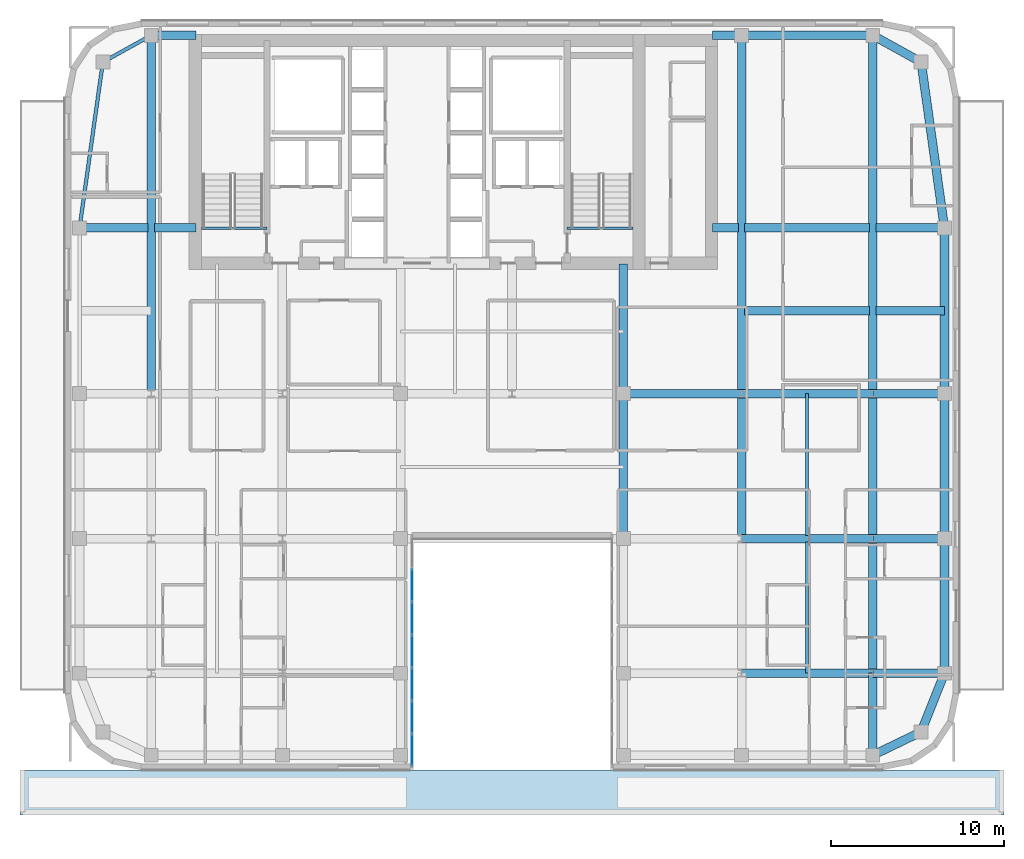
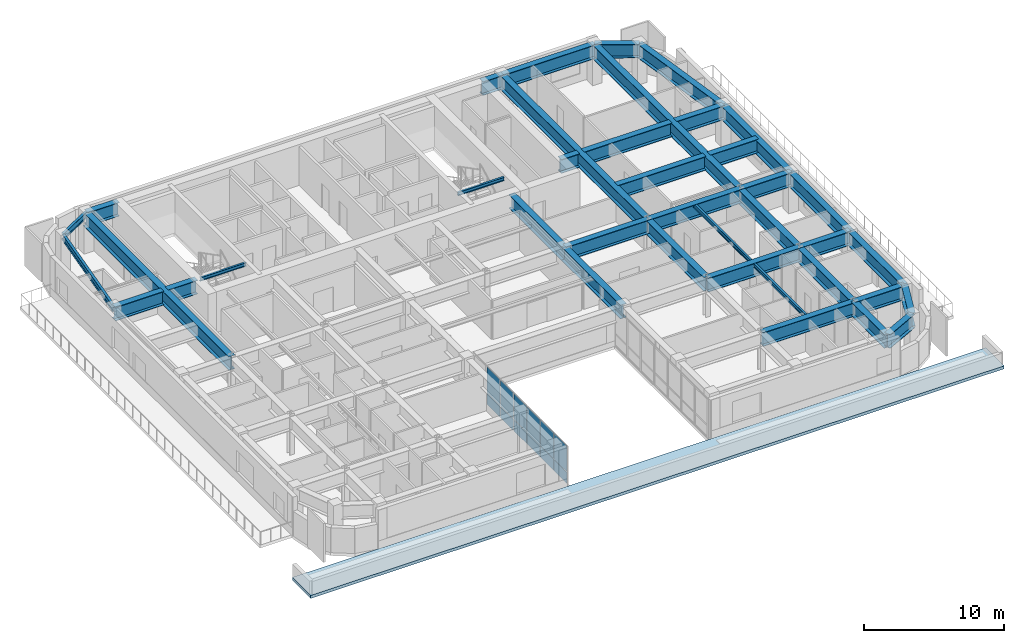
# One storey, part 8 of 20: 39 beams, 12 plates, 1 slab, 1 element without a shape of its own.
"""IFC4 building model written with IfcOpenShell, lengths in metres."""

from ifc_helpers import new_model, si_unit, direction, frame, origin, origin_2d, place, context, subcontext, project, spatial, polyline, rectangle, i_section, outline, extrude, source, transform, mapped, material, layer, layer_set, material_profile, profile_set, type_object, type_shapes, element, aggregate, save


model = new_model("IFC4")

# Units and contexts
model_context = context("Model", 3, precision=1e-05, world=origin(), true_north=direction((0.0, 1.0)))
body_context = subcontext(model_context, "Body", "Model", "MODEL_VIEW")
ifc_project = project(units=[si_unit("LENGTHUNIT", "METRE"), si_unit("AREAUNIT", "SQUARE_METRE"), si_unit("VOLUMEUNIT", "CUBIC_METRE"), si_unit("PLANEANGLEUNIT", "RADIAN"), si_unit("MASSUNIT", "GRAM", prefix="KILO")], contexts=[model_context])

# Site, building, storey
site_placement = place(None, origin())
site = spatial("IfcSite", under=ifc_project, at=site_placement, CompositionType="ELEMENT")
building_placement = place(site_placement, origin())
building = spatial("IfcBuilding", under=site, at=building_placement, Name="Tolvann Quenvar Hotel", CompositionType="ELEMENT")
storey_placement = place(building_placement, frame((0.0, 0.0, 147.050048828125)))
storey = spatial("IfcBuildingStorey", under=building, at=storey_placement, Name="L38", CompositionType="ELEMENT", Elevation=147.050048828125)

# Beams
ifc_material_1 = material(Name="Steel Grade 350", Category="steel")
ifc_material_profile_1 = material_profile(ifc_material_1, i_section(OverallWidth=0.5, OverallDepth=1.199951171875, WebThickness=0.01611328125, FlangeThickness=0.0400390625, at=origin_2d()), Name="1200WB455")
ifc_profile_set_1 = profile_set([ifc_material_profile_1], Name="Steel Grade 350")
beam_type_1 = type_object("IfcBeamType", Name="BM_TG_1200WB455", PredefinedType="USERDEFINED", material=ifc_profile_set_1)
shared_shape_1 = source(origin(), body_context, "Body", "SweptSolid", [
    extrude(i_section(OverallWidth=0.5, OverallDepth=1.199951171875, WebThickness=0.01611328125, FlangeThickness=0.0400390625, at=origin_2d()), origin(), (0.0, 0.0, 1.0), 7.5),
])
beam_1_placement = place(storey_placement, frame((34.949951171875, 24.39990234375, 2.77001953125), z_axis=(0.0, 1.0, 0.0), x_axis=(-1.0, 0.0, 0.0)))
element("IfcBeam", 1, at=beam_1_placement, inside=storey, type_object=beam_type_1, Name="BM-L38-CORE-F5", ObjectType="TRANSFER GIRDER", PredefinedType="USERDEFINED", context=body_context, shape_type="MappedRepresentation", body=[
    mapped(shared_shape_1, transform((0.0, 0.0, 0.0), x_axis=(1.0, 0.0, 0.0), y_axis=(0.0, 1.0, 0.0), z_axis=(0.0, 0.0, 1.0), scale=1.0)),
])
shared_shape_2 = source(origin(), body_context, "Body", "SweptSolid", [
    extrude(i_section(OverallWidth=0.5, OverallDepth=1.199951171875, WebThickness=0.01611328125, FlangeThickness=0.0400390625, at=origin_2d()), origin(), (0.0, 0.0, 1.0), 7.599853515625),
])
for number, where, z_axis, x_axis, name in (
    (2, (41.800048828125, 8.199951171875, 2.77001953125), (1.0, 0.0, 0.0), (0.0, 1.0, 0.0), "BM-L38-EW-3-H3-I3"),
    (3, (41.800048828125, 16.0, 2.77001953125), (1.0, 0.0, 0.0), (0.0, 1.0, 0.0), "BM-L38-EW-4-H4-I4"),
    (4, (41.800048828125, 24.39990234375, 2.77001953125), (1.0, 0.0, 0.0), (0.0, 1.0, 0.0), "BM-L38-EW-5-H5-I5"),
    (5, (49.39990234375, 45.14990234375, 2.77001953125), (-1.0, 0.0, 0.0), (0.0, -1.0, 0.0), "BM-L38-FLK-E4"),
):
    element("IfcBeam", number, at=place(storey_placement, frame(where, z_axis=z_axis, x_axis=x_axis)), inside=storey, type_object=beam_type_1, Name=name, ObjectType="TRANSFER GIRDER", PredefinedType="USERDEFINED", context=body_context, shape_type="MappedRepresentation", body=[
        mapped(shared_shape_2, transform((0.0, 0.0, 0.0), x_axis=(1.0, 0.0, 0.0), y_axis=(0.0, 1.0, 0.0), z_axis=(0.0, 0.0, 1.0), scale=1.0)),
    ])
shared_shape_3 = source(origin(), body_context, "Body", "SweptSolid", [
    extrude(i_section(OverallWidth=0.5, OverallDepth=1.199951171875, WebThickness=0.01611328125, FlangeThickness=0.0400390625, at=origin_2d()), origin(), (0.0, 0.0, 1.0), 9.60009765625),
])
beam_2_placement = place(storey_placement, frame((53.550048828125, 24.39990234375, 2.77001953125), z_axis=(0.0, 1.0, 0.0), x_axis=(-1.0, 0.0, 0.0)))
element("IfcBeam", 6, at=beam_2_placement, inside=storey, type_object=beam_type_1, Name="BM-L38-FLK-E1", ObjectType="TRANSFER GIRDER", PredefinedType="USERDEFINED", context=body_context, shape_type="MappedRepresentation", body=[
    mapped(shared_shape_3, transform((0.0, 0.0, 0.0), x_axis=(1.0, 0.0, 0.0), y_axis=(0.0, 1.0, 0.0), z_axis=(0.0, 0.0, 1.0), scale=1.0)),
])
shared_shape_4 = source(origin(), body_context, "Body", "SweptSolid", [
    extrude(i_section(OverallWidth=0.5, OverallDepth=1.199951171875, WebThickness=0.01611328125, FlangeThickness=0.0400390625, at=origin_2d()), origin(), (0.0, 0.0, 1.0), 20.75),
])
for number, where, z_axis, x_axis, name in (
    (7, (7.60009765625, 24.39990234375, 2.77001953125), (0.0, 1.0, 0.0), (-1.0, 0.0, 0.0), "BM-L38-FLK-WC"),
    (8, (41.800048828125, 24.39990234375, 2.77001953125), (0.0, 1.0, 0.0), (-1.0, 0.0, 0.0), "BM-L38-FLK-EH"),
    (9, (49.39990234375, 24.39990234375, 2.77001953125), (0.0, 1.0, 0.0), (-1.0, 0.0, 0.0), "BM-L38-FLK-EI"),
):
    element("IfcBeam", number, at=place(storey_placement, frame(where, z_axis=z_axis, x_axis=x_axis)), inside=storey, type_object=beam_type_1, Name=name, ObjectType="TRANSFER GIRDER", PredefinedType="USERDEFINED", context=body_context, shape_type="MappedRepresentation", body=[
        mapped(shared_shape_4, transform((0.0, 0.0, 0.0), x_axis=(1.0, 0.0, 0.0), y_axis=(0.0, 1.0, 0.0), z_axis=(0.0, 0.0, 1.0), scale=1.0)),
    ])
shared_shape_5 = source(origin(), body_context, "Body", "SweptSolid", [
    extrude(i_section(OverallWidth=0.5, OverallDepth=1.199951171875, WebThickness=0.01611328125, FlangeThickness=0.0400390625, at=origin_2d()), origin(), (0.0, 0.0, 1.0), 2.419921875),
])
beam_3_placement = place(storey_placement, frame((7.780029296875, 34.0, 2.77001953125), z_axis=(1.0, 0.0, 0.0), x_axis=(0.0, 1.0, 0.0)))
element("IfcBeam", 10, at=beam_3_placement, inside=storey, type_object=beam_type_1, Name="BM-L38-CTW-MID2", ObjectType="TRANSFER GIRDER", PredefinedType="USERDEFINED", context=body_context, shape_type="MappedRepresentation", body=[
    mapped(shared_shape_5, transform((0.0, 0.0, 0.0), x_axis=(1.0, 0.0, 0.0), y_axis=(0.0, 1.0, 0.0), z_axis=(0.0, 0.0, 1.0), scale=1.0)),
])
shared_shape_6 = source(origin(), body_context, "Body", "SweptSolid", [
    extrude(i_section(OverallWidth=0.5, OverallDepth=1.199951171875, WebThickness=0.01611328125, FlangeThickness=0.0400390625, at=origin_2d()), origin(), (0.0, 0.0, 1.0), 2.599853515625),
])
beam_4_placement = place(storey_placement, frame((7.60009765625, 45.14990234375, 2.77001953125), z_axis=(1.0, 0.0, 0.0), x_axis=(0.0, 1.0, 0.0)))
element("IfcBeam", 11, at=beam_4_placement, inside=storey, type_object=beam_type_1, Name="BM-L38-CTW-CN", ObjectType="TRANSFER GIRDER", PredefinedType="USERDEFINED", context=body_context, shape_type="MappedRepresentation", body=[
    mapped(shared_shape_6, transform((0.0, 0.0, 0.0), x_axis=(1.0, 0.0, 0.0), y_axis=(0.0, 1.0, 0.0), z_axis=(0.0, 0.0, 1.0), scale=1.0)),
])
shared_shape_7 = source(origin(), body_context, "Body", "SweptSolid", [
    extrude(i_section(OverallWidth=0.5, OverallDepth=1.199951171875, WebThickness=0.01611328125, FlangeThickness=0.0400390625, at=origin_2d()), origin(), (0.0, 0.0, 1.0), 1.699951171875),
])
beam_5_placement = place(storey_placement, frame((40.10009765625, 45.14990234375, 2.77001953125), z_axis=(1.0, 0.0, 0.0), x_axis=(0.0, 1.0, 0.0)))
element("IfcBeam", 12, at=beam_5_placement, inside=storey, type_object=beam_type_1, Name="BM-L38-CTE-HN", ObjectType="TRANSFER GIRDER", PredefinedType="USERDEFINED", context=body_context, shape_type="MappedRepresentation", body=[
    mapped(shared_shape_7, transform((0.0, 0.0, 0.0), x_axis=(1.0, 0.0, 0.0), y_axis=(0.0, 1.0, 0.0), z_axis=(0.0, 0.0, 1.0), scale=1.0)),
])
shared_shape_8 = source(origin(), body_context, "Body", "SweptSolid", [
    extrude(i_section(OverallWidth=0.5, OverallDepth=1.199951171875, WebThickness=0.01611328125, FlangeThickness=0.0400390625, at=origin_2d()), origin(), (0.0, 0.0, 1.0), 1.52001953125),
])
beam_6_placement = place(storey_placement, frame((40.10009765625, 34.0, 2.77001953125), z_axis=(1.0, 0.0, 0.0), x_axis=(0.0, 1.0, 0.0)))
element("IfcBeam", 13, at=beam_6_placement, inside=storey, type_object=beam_type_1, Name="BM-L38-CTE-JD6A", ObjectType="TRANSFER GIRDER", PredefinedType="USERDEFINED", context=body_context, shape_type="MappedRepresentation", body=[
    mapped(shared_shape_8, transform((0.0, 0.0, 0.0), x_axis=(1.0, 0.0, 0.0), y_axis=(0.0, 1.0, 0.0), z_axis=(0.0, 0.0, 1.0), scale=1.0)),
])
shared_shape_9 = source(origin(), body_context, "Body", "SweptSolid", [
    extrude(i_section(OverallWidth=0.5, OverallDepth=1.199951171875, WebThickness=0.01611328125, FlangeThickness=0.0400390625, at=origin_2d()), origin(), (0.0, 0.0, 1.0), 7.239990234375),
])
for number, where, z_axis, x_axis, name in (
    (14, (41.97998046875, 34.0, 2.77001953125), (1.0, 0.0, 0.0), (0.0, 1.0, 0.0), "BM-L38-CTE-JD6B"),
    (15, (41.97998046875, 29.199951171875, 2.77001953125), (1.0, 0.0, 0.0), (0.0, 1.0, 0.0), "BM-L38-EW-HI29"),
):
    element("IfcBeam", number, at=place(storey_placement, frame(where, z_axis=z_axis, x_axis=x_axis)), inside=storey, type_object=beam_type_1, Name=name, ObjectType="TRANSFER GIRDER", PredefinedType="USERDEFINED", context=body_context, shape_type="MappedRepresentation", body=[
        mapped(shared_shape_9, transform((0.0, 0.0, 0.0), x_axis=(1.0, 0.0, 0.0), y_axis=(0.0, 1.0, 0.0), z_axis=(0.0, 0.0, 1.0), scale=1.0)),
    ])
ifc_material_profile_2 = material_profile(ifc_material_1, i_section(OverallWidth=0.166015625, OverallDepth=0.306884765625, WebThickness=0.006591796875, FlangeThickness=0.01171875, FilletRadius=0.011474609375, at=origin_2d()), Name="310UB46")
ifc_profile_set_2 = profile_set([ifc_material_profile_2], Name="Steel Grade 350")
beam_type_2 = type_object("IfcBeamType", Name="BM_JOIST_310UB46", PredefinedType="JOIST", material=ifc_profile_set_2)
shared_shape_10 = source(origin(), body_context, "Body", "SweptSolid", [
    extrude(i_section(OverallWidth=0.166015625, OverallDepth=0.306884765625, WebThickness=0.006591796875, FlangeThickness=0.01171875, FilletRadius=0.011474609375, at=origin_2d()), origin(), (0.0, 0.0, 1.0), 3.800048828125),
])
type_shapes(beam_type_2, [shared_shape_10])
for number, where, z_axis, x_axis, name in (
    (16, (10.5, 33.97998046875, 3.216552734375), (1.0, 0.0, 0.0), (0.0, 1.0, 0.0), "BM-HDR-STC1-L39"),
    (17, (31.699951171875, 33.97998046875, 3.216552734375), (1.0, 0.0, 0.0), (0.0, 1.0, 0.0), "BM-HDR-STC2-L39"),
):
    element("IfcBeam", number, at=place(storey_placement, frame(where, z_axis=z_axis, x_axis=x_axis)), inside=storey, type_object=beam_type_2, Name=name, PredefinedType="JOIST", context=body_context, shape_type="MappedRepresentation", body=[
        mapped(shared_shape_10, transform((0.0, 0.0, 0.0), x_axis=(1.0, 0.0, 0.0), y_axis=(0.0, 1.0, 0.0), z_axis=(0.0, 0.0, 1.0), scale=1.0)),
    ])
shared_shape_11 = source(origin(), body_context, "Body", "SweptSolid", [
    extrude(i_section(OverallWidth=0.5, OverallDepth=1.199951171875, WebThickness=0.01611328125, FlangeThickness=0.0400390625, at=origin_2d()), origin(), (0.0, 0.0, 1.0), 4.150146484375),
])
for number, where, z_axis, x_axis, name in (
    (18, (49.39990234375, 8.199951171875, 2.77001953125), (1.0, 0.0, 0.0), (0.0, 1.0, 0.0), "BM-L38-EW-3-I3-J3"),
    (19, (49.39990234375, 16.0, 2.77001953125), (1.0, 0.0, 0.0), (0.0, 1.0, 0.0), "BM-L38-EW-4-I4-J4"),
    (20, (49.39990234375, 24.39990234375, 2.77001953125), (1.0, 0.0, 0.0), (0.0, 1.0, 0.0), "BM-L38-EW-5-I5-J5"),
):
    element("IfcBeam", number, at=place(storey_placement, frame(where, z_axis=z_axis, x_axis=x_axis)), inside=storey, type_object=beam_type_1, Name=name, ObjectType="TRANSFER GIRDER", PredefinedType="USERDEFINED", context=body_context, shape_type="MappedRepresentation", body=[
        mapped(shared_shape_11, transform((0.0, 0.0, 0.0), x_axis=(1.0, 0.0, 0.0), y_axis=(0.0, 1.0, 0.0), z_axis=(0.0, 0.0, 1.0), scale=1.0)),
    ])
shared_shape_12 = source(origin(), body_context, "Body", "SweptSolid", [
    extrude(i_section(OverallWidth=0.5, OverallDepth=1.199951171875, WebThickness=0.01611328125, FlangeThickness=0.0400390625, at=origin_2d()), origin(), (0.0, 0.0, 1.0), 7.800048828125),
])
for number, where, z_axis, x_axis, name in (
    (21, (49.39990234375, 8.199951171875, 2.77001953125), (0.0, 1.0, 0.0), (-1.0, 0.0, 0.0), "BM-L38-NS-I3-I4"),
    (22, (53.550048828125, 8.199951171875, 2.77001953125), (0.0, 1.0, 0.0), (-1.0, 0.0, 0.0), "BM-L38-NS-J3-J4"),
):
    element("IfcBeam", number, at=place(storey_placement, frame(where, z_axis=z_axis, x_axis=x_axis)), inside=storey, type_object=beam_type_1, Name=name, ObjectType="TRANSFER GIRDER", PredefinedType="USERDEFINED", context=body_context, shape_type="MappedRepresentation", body=[
        mapped(shared_shape_12, transform((0.0, 0.0, 0.0), x_axis=(1.0, 0.0, 0.0), y_axis=(0.0, 1.0, 0.0), z_axis=(0.0, 0.0, 1.0), scale=1.0)),
    ])
shared_shape_13 = source(origin(), body_context, "Body", "SweptSolid", [
    extrude(i_section(OverallWidth=0.5, OverallDepth=1.199951171875, WebThickness=0.01611328125, FlangeThickness=0.0400390625, at=origin_2d()), origin(), (0.0, 0.0, 1.0), 6.85009765625),
])
beam_7_placement = place(storey_placement, frame((34.949951171875, 24.39990234375, 2.77001953125), z_axis=(1.0, 0.0, 0.0), x_axis=(0.0, 1.0, 0.0)))
element("IfcBeam", 23, at=beam_7_placement, inside=storey, type_object=beam_type_1, Name="BM-L38-EW-5-F5-H5", ObjectType="TRANSFER GIRDER", PredefinedType="USERDEFINED", context=body_context, shape_type="MappedRepresentation", body=[
    mapped(shared_shape_13, transform((0.0, 0.0, 0.0), x_axis=(1.0, 0.0, 0.0), y_axis=(0.0, 1.0, 0.0), z_axis=(0.0, 0.0, 1.0), scale=1.0)),
])
shared_shape_14 = source(origin(), body_context, "Body", "SweptSolid", [
    extrude(i_section(OverallWidth=0.5, OverallDepth=1.199951171875, WebThickness=0.01611328125, FlangeThickness=0.0400390625, at=origin_2d()), origin(), (0.0, 0.0, 1.0), 8.39990234375),
])
for number, where, z_axis, x_axis, name in (
    (24, (34.949951171875, 16.0, 2.77001953125), (0.0, 1.0, 0.0), (-1.0, 0.0, 0.0), "BM-L38-NS-F4-F5"),
    (25, (41.800048828125, 16.0, 2.77001953125), (0.0, 1.0, 0.0), (-1.0, 0.0, 0.0), "BM-L38-NS-H4-H5"),
    (26, (49.39990234375, 16.0, 2.77001953125), (0.0, 1.0, 0.0), (-1.0, 0.0, 0.0), "BM-L38-NS-I4-I5"),
    (27, (53.550048828125, 16.0, 2.77001953125), (0.0, 1.0, 0.0), (-1.0, 0.0, 0.0), "BM-L38-NS-J4-J5"),
):
    element("IfcBeam", number, at=place(storey_placement, frame(where, z_axis=z_axis, x_axis=x_axis)), inside=storey, type_object=beam_type_1, Name=name, ObjectType="TRANSFER GIRDER", PredefinedType="USERDEFINED", context=body_context, shape_type="MappedRepresentation", body=[
        mapped(shared_shape_14, transform((0.0, 0.0, 0.0), x_axis=(1.0, 0.0, 0.0), y_axis=(0.0, 1.0, 0.0), z_axis=(0.0, 0.0, 1.0), scale=1.0)),
    ])
shared_shape_15 = source(origin(), body_context, "Body", "SweptSolid", [
    extrude(i_section(OverallWidth=0.5, OverallDepth=1.199951171875, WebThickness=0.01611328125, FlangeThickness=0.0400390625, at=origin_2d()), origin(), (0.0, 0.0, 1.0), 3.108642578125),
])
beam_8_placement = place(storey_placement, frame((49.39990234375, 3.449951171875, 2.77001953125), z_axis=(0.900759354066, 0.434318530646, 0.0), x_axis=(-0.434318530646, 0.900759354066, 0.0)))
element("IfcBeam", 28, at=beam_8_placement, inside=storey, type_object=beam_type_1, Name="BM-L38-EW-2-I2-J2", ObjectType="TRANSFER GIRDER", PredefinedType="USERDEFINED", context=body_context, shape_type="MappedRepresentation", body=[
    mapped(shared_shape_15, transform((0.0, 0.0, 0.0), x_axis=(1.0, 0.0, 0.0), y_axis=(0.0, 1.0, 0.0), z_axis=(0.0, 0.0, 1.0), scale=1.0)),
])
shared_shape_16 = source(origin(), body_context, "Body", "SweptSolid", [
    extrude(i_section(OverallWidth=0.5, OverallDepth=1.199951171875, WebThickness=0.01611328125, FlangeThickness=0.0400390625, at=origin_2d()), origin(), (0.0, 0.0, 1.0), 3.658203125),
])
beam_9_placement = place(storey_placement, frame((52.199951171875, 4.800048828125, 2.77001953125), z_axis=(0.369065163807, 0.929403521009, 0.0), x_axis=(-0.929403521009, 0.369065163807, 0.0)))
element("IfcBeam", 29, at=beam_9_placement, inside=storey, type_object=beam_type_1, Name="BM-L38-NS-J2-J3", ObjectType="TRANSFER GIRDER", PredefinedType="USERDEFINED", context=body_context, shape_type="MappedRepresentation", body=[
    mapped(shared_shape_16, transform((0.0, 0.0, 0.0), x_axis=(1.0, 0.0, 0.0), y_axis=(0.0, 1.0, 0.0), z_axis=(0.0, 0.0, 1.0), scale=1.0)),
])
shared_shape_17 = source(origin(), body_context, "Body", "SweptSolid", [
    extrude(i_section(OverallWidth=0.5, OverallDepth=1.199951171875, WebThickness=0.01611328125, FlangeThickness=0.0400390625, at=origin_2d()), origin(), (0.0, 0.0, 1.0), 4.75),
])
beam_10_placement = place(storey_placement, frame((49.39990234375, 3.449951171875, 2.77001953125), z_axis=(0.0, 1.0, 0.0), x_axis=(-1.0, 0.0, 0.0)))
element("IfcBeam", 30, at=beam_10_placement, inside=storey, type_object=beam_type_1, Name="BM-L38-NS-I2-I3", ObjectType="TRANSFER GIRDER", PredefinedType="USERDEFINED", context=body_context, shape_type="MappedRepresentation", body=[
    mapped(shared_shape_17, transform((0.0, 0.0, 0.0), x_axis=(1.0, 0.0, 0.0), y_axis=(0.0, 1.0, 0.0), z_axis=(0.0, 0.0, 1.0), scale=1.0)),
])
ifc_material_profile_3 = material_profile(ifc_material_1, i_section(OverallWidth=0.208984375, OverallDepth=0.528076171875, WebThickness=0.009521484375, FlangeThickness=0.01318359375, FilletRadius=0.013916015625, at=origin_2d()), Name="530UB82")
ifc_profile_set_3 = profile_set([ifc_material_profile_3], Name="Steel Grade 350")
beam_type_3 = type_object("IfcBeamType", Name="BM_SPAND_530UB82", PredefinedType="SPANDREL", material=ifc_profile_set_3)
shared_shape_18 = source(origin(), body_context, "Body", "SweptSolid", [
    extrude(i_section(OverallWidth=0.208984375, OverallDepth=0.528076171875, WebThickness=0.009521484375, FlangeThickness=0.01318359375, FilletRadius=0.013916015625, at=origin_2d()), origin(), (0.0, 0.0, 1.0), 9.694580078125),
])
beam_11_placement = place(storey_placement, frame((3.449951171875, 34.0, 3.10595703125), z_axis=(0.139263320262, 0.990255385055, 0.0), x_axis=(-0.990255385055, 0.139263320262, 0.0)))
element("IfcBeam", 31, at=beam_11_placement, inside=storey, type_object=beam_type_3, Name="BM-L38-FLK-W2", PredefinedType="SPANDREL", context=body_context, shape_type="MappedRepresentation", body=[
    mapped(shared_shape_18, transform((0.0, 0.0, 0.0), x_axis=(1.0, 0.0, 0.0), y_axis=(0.0, 1.0, 0.0), z_axis=(0.0, 0.0, 1.0), scale=1.0)),
])
shared_shape_19 = source(origin(), body_context, "Body", "SweptSolid", [
    extrude(i_section(OverallWidth=0.208984375, OverallDepth=0.528076171875, WebThickness=0.009521484375, FlangeThickness=0.01318359375, FilletRadius=0.013916015625, at=origin_2d()), origin(), (0.0, 0.0, 1.0), 3.200439453125),
])
type_shapes(beam_type_3, [shared_shape_18, shared_shape_19])
beam_12_placement = place(storey_placement, frame((4.800048828125, 43.60009765625, 3.10595703125), z_axis=(0.87492264453, 0.48426270359, 0.0), x_axis=(-0.48426270359, 0.87492264453, 0.0)))
element("IfcBeam", 32, at=beam_12_placement, inside=storey, type_object=beam_type_3, Name="BM-L38-FLK-W3", PredefinedType="SPANDREL", context=body_context, shape_type="MappedRepresentation", body=[
    mapped(shared_shape_19, transform((0.0, 0.0, 0.0), x_axis=(1.0, 0.0, 0.0), y_axis=(0.0, 1.0, 0.0), z_axis=(0.0, 0.0, 1.0), scale=1.0)),
])
shared_shape_20 = source(origin(), body_context, "Body", "SweptSolid", [
    extrude(i_section(OverallWidth=0.5, OverallDepth=1.199951171875, WebThickness=0.01611328125, FlangeThickness=0.0400390625, at=origin_2d()), origin(), (0.0, 0.0, 1.0), 3.969970703125),
])
for number, where, z_axis, x_axis, name in (
    (33, (3.449951171875, 34.0, 2.77001953125), (1.0, 0.0, 0.0), (0.0, 1.0, 0.0), "BM-L38-CTW-MID1"),
    (34, (49.580078125, 34.0, 2.77001953125), (1.0, 0.0, 0.0), (0.0, 1.0, 0.0), "BM-L38-CTE-JD6C"),
    (35, (49.580078125, 29.199951171875, 2.77001953125), (1.0, 0.0, 0.0), (0.0, 1.0, 0.0), "BM-L38-EW-IJ29"),
):
    element("IfcBeam", number, at=place(storey_placement, frame(where, z_axis=z_axis, x_axis=x_axis)), inside=storey, type_object=beam_type_1, Name=name, ObjectType="TRANSFER GIRDER", PredefinedType="USERDEFINED", context=body_context, shape_type="MappedRepresentation", body=[
        mapped(shared_shape_20, transform((0.0, 0.0, 0.0), x_axis=(1.0, 0.0, 0.0), y_axis=(0.0, 1.0, 0.0), z_axis=(0.0, 0.0, 1.0), scale=1.0)),
    ])
shared_shape_21 = source(origin(), body_context, "Body", "SweptSolid", [
    extrude(i_section(OverallWidth=0.5, OverallDepth=1.199951171875, WebThickness=0.01611328125, FlangeThickness=0.0400390625, at=origin_2d()), origin(), (0.0, 0.0, 1.0), 9.694580078125),
])
beam_13_placement = place(storey_placement, frame((53.550048828125, 34.0, 2.77001953125), z_axis=(-0.139263320262, 0.990255385055, 0.0), x_axis=(-0.990255385055, -0.139263320262, 0.0)))
element("IfcBeam", 36, at=beam_13_placement, inside=storey, type_object=beam_type_1, Name="BM-L38-FLK-E2", ObjectType="TRANSFER GIRDER", PredefinedType="USERDEFINED", context=body_context, shape_type="MappedRepresentation", body=[
    mapped(shared_shape_21, transform((0.0, 0.0, 0.0), x_axis=(1.0, 0.0, 0.0), y_axis=(0.0, 1.0, 0.0), z_axis=(0.0, 0.0, 1.0), scale=1.0)),
])
shared_shape_22 = source(origin(), body_context, "Body", "SweptSolid", [
    extrude(i_section(OverallWidth=0.5, OverallDepth=1.199951171875, WebThickness=0.01611328125, FlangeThickness=0.0400390625, at=origin_2d()), origin(), (0.0, 0.0, 1.0), 3.200439453125),
])
type_shapes(beam_type_1, [shared_shape_1, shared_shape_2, shared_shape_3, shared_shape_4, shared_shape_5, shared_shape_6, shared_shape_7, shared_shape_8, shared_shape_9, shared_shape_11, shared_shape_12, shared_shape_13, shared_shape_14, shared_shape_15, shared_shape_16, shared_shape_17, shared_shape_20, shared_shape_21, shared_shape_22])
beam_14_placement = place(storey_placement, frame((52.199951171875, 43.60009765625, 2.77001953125), z_axis=(-0.87492264453, 0.48426270359, 0.0), x_axis=(-0.48426270359, -0.87492264453, 0.0)))
element("IfcBeam", 37, at=beam_14_placement, inside=storey, type_object=beam_type_1, Name="BM-L38-FLK-E3", ObjectType="TRANSFER GIRDER", PredefinedType="USERDEFINED", context=body_context, shape_type="MappedRepresentation", body=[
    mapped(shared_shape_22, transform((0.0, 0.0, 0.0), x_axis=(1.0, 0.0, 0.0), y_axis=(0.0, 1.0, 0.0), z_axis=(0.0, 0.0, 1.0), scale=1.0)),
])
ifc_material_profile_4 = material_profile(ifc_material_1, i_section(OverallWidth=0.172119140625, OverallDepth=0.35888671875, WebThickness=0.008056640625, FlangeThickness=0.012939453125, FilletRadius=0.011474609375, at=origin_2d()), Name="360UB57")
ifc_profile_set_4 = profile_set([ifc_material_profile_4], Name="Steel Grade 350")
beam_type_4 = type_object("IfcBeamType", Name="BM_JOIST_360UB57", PredefinedType="JOIST", material=ifc_profile_set_4)
shared_shape_23 = source(origin(), body_context, "Body", "SweptSolid", [
    extrude(i_section(OverallWidth=0.172119140625, OverallDepth=0.35888671875, WebThickness=0.008056640625, FlangeThickness=0.012939453125, FilletRadius=0.011474609375, at=origin_2d()), origin(), (0.0, 0.0, 1.0), 7.614990234375),
])
beam_15_placement = place(storey_placement, frame((45.60009765625, 8.199951171875, 3.1904296875), z_axis=(0.0, 1.0, 0.0), x_axis=(-1.0, 0.0, 0.0)))
element("IfcBeam", 38, at=beam_15_placement, inside=storey, type_object=beam_type_4, Name="BJ-L38-456-82", PredefinedType="JOIST", context=body_context, shape_type="MappedRepresentation", body=[
    mapped(shared_shape_23, transform((0.0, 0.0, 0.0), x_axis=(1.0, 0.0, 0.0), y_axis=(0.0, 1.0, 0.0), z_axis=(0.0, 0.0, 1.0), scale=1.0)),
])
shared_shape_24 = source(origin(), body_context, "Body", "SweptSolid", [
    extrude(i_section(OverallWidth=0.172119140625, OverallDepth=0.35888671875, WebThickness=0.008056640625, FlangeThickness=0.012939453125, FilletRadius=0.011474609375, at=origin_2d()), origin(), (0.0, 0.0, 1.0), 8.21484375),
])
type_shapes(beam_type_4, [shared_shape_23, shared_shape_24])
beam_16_placement = place(storey_placement, frame((45.60009765625, 16.18505859375, 3.1904296875), z_axis=(0.0, 1.0, 0.0), x_axis=(-1.0, 0.0, 0.0)))
element("IfcBeam", 39, at=beam_16_placement, inside=storey, type_object=beam_type_4, Name="BJ-L38-456-160", PredefinedType="JOIST", context=body_context, shape_type="MappedRepresentation", body=[
    mapped(shared_shape_24, transform((0.0, 0.0, 0.0), x_axis=(1.0, 0.0, 0.0), y_axis=(0.0, 1.0, 0.0), z_axis=(0.0, 0.0, 1.0), scale=1.0)),
])

# Slab
ifc_material_2 = material(Name="Concrete N50 (50 MPa)", Category="concrete")
ifc_layer_1 = layer(ifc_material_2, 0.260009765625)
ifc_layer_set_1 = layer_set([ifc_layer_1], Name="Concrete N50 (50 MPa)")
slab_type = type_object("IfcSlabType", Name="SLAB_TER_260", PredefinedType="ROOF", material=ifc_layer_set_1)
slab_placement = place(storey_placement, frame((0.0, 0.0, -0.260009765625)))
element("IfcSlab", 40, at=slab_placement, inside=storey, type_object=slab_type, Name="Setback Roof Cap (ROOF-L38-SOUTH)", PredefinedType="ROOF", context=body_context, shape_type="SweptSolid", body=[
    extrude(outline(polyline([(0.0, 0.0), (57.0, 0.0), (57.0, 2.60009765625), (0.0, 2.60009765625), (0.0, 0.0)])), origin(), (0.0, 0.0, 1.0), 0.260009765625),
])

# Curtain wall, plates
ifc_material_3 = material(Name="Thermally broken anodised architectural aluminium 6063-T6 and laminated low-E glass", Category="aluminium")
ifc_layer_2 = layer(ifc_material_3, 0.179931640625)
ifc_layer_set_2 = layer_set([ifc_layer_2], Name="Thermally broken anodised architectural aluminium 6063-T6 and laminated low-E glass")
curtain_wall_type = type_object("IfcCurtainWallType", Name="CW_SYS_SLOT_03", PredefinedType="USERDEFINED", material=ifc_layer_set_2)
curtain_wall_placement = place(storey_placement, origin())
curtain_wall = element("IfcCurtainWall", 41, at=curtain_wall_placement, inside=storey, type_object=curtain_wall_type, Name="Curtain Wall CW-SLOT-03 (CWR-L38-E05)", ObjectType="UNITISED CURTAIN WALL", PredefinedType="USERDEFINED")
ifc_material_4 = material(Name="Low-iron laminated double glazing with solar-control coating", Category="glass")
ifc_layer_3 = layer(ifc_material_4, 0.028076171875)
ifc_layer_set_3 = layer_set([ifc_layer_3], Name="Low-iron laminated double glazing with solar-control coating")
plate_type = type_object("IfcPlateType", Name="CW_PAN_VISION_28", PredefinedType="CURTAIN_PANEL", material=ifc_layer_set_3)
shared_shape_25 = source(origin(), body_context, "Body", "SweptSolid", [
    extrude(rectangle(XDim=1.809326171875, YDim=0.028076171875, at=origin_2d()), origin(), (0.0, 0.0, 1.0), 0.9599609375),
])
plate_1_placement = place(storey_placement, frame((22.7099609375, 3.749755859375, 0.06005859375), z_axis=(0.0, 0.0, 1.0), x_axis=(0.0, 1.0, 0.0)))
plate_1 = element("IfcPlate", 42, at=plate_1_placement, type_object=plate_type, Name="CW-SLOT-03 panel 1.1", PredefinedType="CURTAIN_PANEL", context=body_context, shape_type="MappedRepresentation", body=[
    mapped(shared_shape_25, transform((0.0, 0.0, 0.0), x_axis=(1.0, 0.0, 0.0), y_axis=(0.0, 1.0, 0.0), z_axis=(0.0, 0.0, 1.0), scale=1.0)),
])
shared_shape_26 = source(origin(), body_context, "Body", "SweptSolid", [
    extrude(rectangle(XDim=1.809326171875, YDim=0.028076171875, at=origin_2d()), origin(), (0.0, 0.0, 1.0), 2.22998046875),
])
plate_2_placement = place(storey_placement, frame((22.7099609375, 3.749755859375, 1.080078125), z_axis=(0.0, 0.0, 1.0), x_axis=(0.0, 1.0, 0.0)))
plate_2 = element("IfcPlate", 43, at=plate_2_placement, type_object=plate_type, Name="CW-SLOT-03 panel 1.2", PredefinedType="CURTAIN_PANEL", context=body_context, shape_type="MappedRepresentation", body=[
    mapped(shared_shape_26, transform((0.0, 0.0, 0.0), x_axis=(1.0, 0.0, 0.0), y_axis=(0.0, 1.0, 0.0), z_axis=(0.0, 0.0, 1.0), scale=1.0)),
])
shared_shape_27 = source(origin(), body_context, "Body", "SweptSolid", [
    extrude(rectangle(XDim=1.84423828125, YDim=0.028076171875, at=origin_2d()), origin(), (0.0, 0.0, 1.0), 0.9599609375),
])
plate_3_placement = place(storey_placement, frame((22.7099609375, 5.646484375, 0.06005859375), z_axis=(0.0, 0.0, 1.0), x_axis=(0.0, 1.0, 0.0)))
plate_3 = element("IfcPlate", 44, at=plate_3_placement, type_object=plate_type, Name="CW-SLOT-03 panel 2.1", PredefinedType="CURTAIN_PANEL", context=body_context, shape_type="MappedRepresentation", body=[
    mapped(shared_shape_27, transform((0.0, 0.0, 0.0), x_axis=(1.0, 0.0, 0.0), y_axis=(0.0, 1.0, 0.0), z_axis=(0.0, 0.0, 1.0), scale=1.0)),
])
plate_4_placement = place(storey_placement, frame((22.7099609375, 7.560791015625, 0.06005859375), z_axis=(0.0, 0.0, 1.0), x_axis=(0.0, 1.0, 0.0)))
plate_4 = element("IfcPlate", 45, at=plate_4_placement, type_object=plate_type, Name="CW-SLOT-03 panel 3.1", PredefinedType="CURTAIN_PANEL", context=body_context, shape_type="MappedRepresentation", body=[
    mapped(shared_shape_27, transform((0.0, 0.0, 0.0), x_axis=(1.0, 0.0, 0.0), y_axis=(0.0, 1.0, 0.0), z_axis=(0.0, 0.0, 1.0), scale=1.0)),
])
plate_5_placement = place(storey_placement, frame((22.7099609375, 9.47509765625, 0.06005859375), z_axis=(0.0, 0.0, 1.0), x_axis=(0.0, 1.0, 0.0)))
plate_5 = element("IfcPlate", 46, at=plate_5_placement, type_object=plate_type, Name="CW-SLOT-03 panel 4.1", PredefinedType="CURTAIN_PANEL", context=body_context, shape_type="MappedRepresentation", body=[
    mapped(shared_shape_27, transform((0.0, 0.0, 0.0), x_axis=(1.0, 0.0, 0.0), y_axis=(0.0, 1.0, 0.0), z_axis=(0.0, 0.0, 1.0), scale=1.0)),
])
plate_6_placement = place(storey_placement, frame((22.7099609375, 11.389404296875, 0.06005859375), z_axis=(0.0, 0.0, 1.0), x_axis=(0.0, 1.0, 0.0)))
plate_6 = element("IfcPlate", 47, at=plate_6_placement, type_object=plate_type, Name="CW-SLOT-03 panel 5.1", PredefinedType="CURTAIN_PANEL", context=body_context, shape_type="MappedRepresentation", body=[
    mapped(shared_shape_27, transform((0.0, 0.0, 0.0), x_axis=(1.0, 0.0, 0.0), y_axis=(0.0, 1.0, 0.0), z_axis=(0.0, 0.0, 1.0), scale=1.0)),
])
plate_7_placement = place(storey_placement, frame((22.7099609375, 13.303466796875, 0.06005859375), z_axis=(0.0, 0.0, 1.0), x_axis=(0.0, 1.0, 0.0)))
plate_7 = element("IfcPlate", 48, at=plate_7_placement, type_object=plate_type, Name="CW-SLOT-03 panel 6.1", PredefinedType="CURTAIN_PANEL", context=body_context, shape_type="MappedRepresentation", body=[
    mapped(shared_shape_27, transform((0.0, 0.0, 0.0), x_axis=(1.0, 0.0, 0.0), y_axis=(0.0, 1.0, 0.0), z_axis=(0.0, 0.0, 1.0), scale=1.0)),
])
shared_shape_28 = source(origin(), body_context, "Body", "SweptSolid", [
    extrude(rectangle(XDim=1.84423828125, YDim=0.028076171875, at=origin_2d()), origin(), (0.0, 0.0, 1.0), 2.22998046875),
])
type_shapes(plate_type, [shared_shape_25, shared_shape_26, shared_shape_27, shared_shape_28])
plate_8_placement = place(storey_placement, frame((22.7099609375, 5.646484375, 1.080078125), z_axis=(0.0, 0.0, 1.0), x_axis=(0.0, 1.0, 0.0)))
plate_8 = element("IfcPlate", 49, at=plate_8_placement, type_object=plate_type, Name="CW-SLOT-03 panel 2.2", PredefinedType="CURTAIN_PANEL", context=body_context, shape_type="MappedRepresentation", body=[
    mapped(shared_shape_28, transform((0.0, 0.0, 0.0), x_axis=(1.0, 0.0, 0.0), y_axis=(0.0, 1.0, 0.0), z_axis=(0.0, 0.0, 1.0), scale=1.0)),
])
plate_9_placement = place(storey_placement, frame((22.7099609375, 7.560791015625, 1.080078125), z_axis=(0.0, 0.0, 1.0), x_axis=(0.0, 1.0, 0.0)))
plate_9 = element("IfcPlate", 50, at=plate_9_placement, type_object=plate_type, Name="CW-SLOT-03 panel 3.2", PredefinedType="CURTAIN_PANEL", context=body_context, shape_type="MappedRepresentation", body=[
    mapped(shared_shape_28, transform((0.0, 0.0, 0.0), x_axis=(1.0, 0.0, 0.0), y_axis=(0.0, 1.0, 0.0), z_axis=(0.0, 0.0, 1.0), scale=1.0)),
])
plate_10_placement = place(storey_placement, frame((22.7099609375, 9.47509765625, 1.080078125), z_axis=(0.0, 0.0, 1.0), x_axis=(0.0, 1.0, 0.0)))
plate_10 = element("IfcPlate", 51, at=plate_10_placement, type_object=plate_type, Name="CW-SLOT-03 panel 4.2", PredefinedType="CURTAIN_PANEL", context=body_context, shape_type="MappedRepresentation", body=[
    mapped(shared_shape_28, transform((0.0, 0.0, 0.0), x_axis=(1.0, 0.0, 0.0), y_axis=(0.0, 1.0, 0.0), z_axis=(0.0, 0.0, 1.0), scale=1.0)),
])
plate_11_placement = place(storey_placement, frame((22.7099609375, 11.389404296875, 1.080078125), z_axis=(0.0, 0.0, 1.0), x_axis=(0.0, 1.0, 0.0)))
plate_11 = element("IfcPlate", 52, at=plate_11_placement, type_object=plate_type, Name="CW-SLOT-03 panel 5.2", PredefinedType="CURTAIN_PANEL", context=body_context, shape_type="MappedRepresentation", body=[
    mapped(shared_shape_28, transform((0.0, 0.0, 0.0), x_axis=(1.0, 0.0, 0.0), y_axis=(0.0, 1.0, 0.0), z_axis=(0.0, 0.0, 1.0), scale=1.0)),
])
plate_12_placement = place(storey_placement, frame((22.7099609375, 13.303466796875, 1.080078125), z_axis=(0.0, 0.0, 1.0), x_axis=(0.0, 1.0, 0.0)))
plate_12 = element("IfcPlate", 53, at=plate_12_placement, type_object=plate_type, Name="CW-SLOT-03 panel 6.2", PredefinedType="CURTAIN_PANEL", context=body_context, shape_type="MappedRepresentation", body=[
    mapped(shared_shape_28, transform((0.0, 0.0, 0.0), x_axis=(1.0, 0.0, 0.0), y_axis=(0.0, 1.0, 0.0), z_axis=(0.0, 0.0, 1.0), scale=1.0)),
])
aggregate(curtain_wall, [plate_1, plate_2, plate_3, plate_8, plate_4, plate_9, plate_5, plate_10, plate_6, plate_11, plate_7, plate_12])

save(model, "model.ifc")
